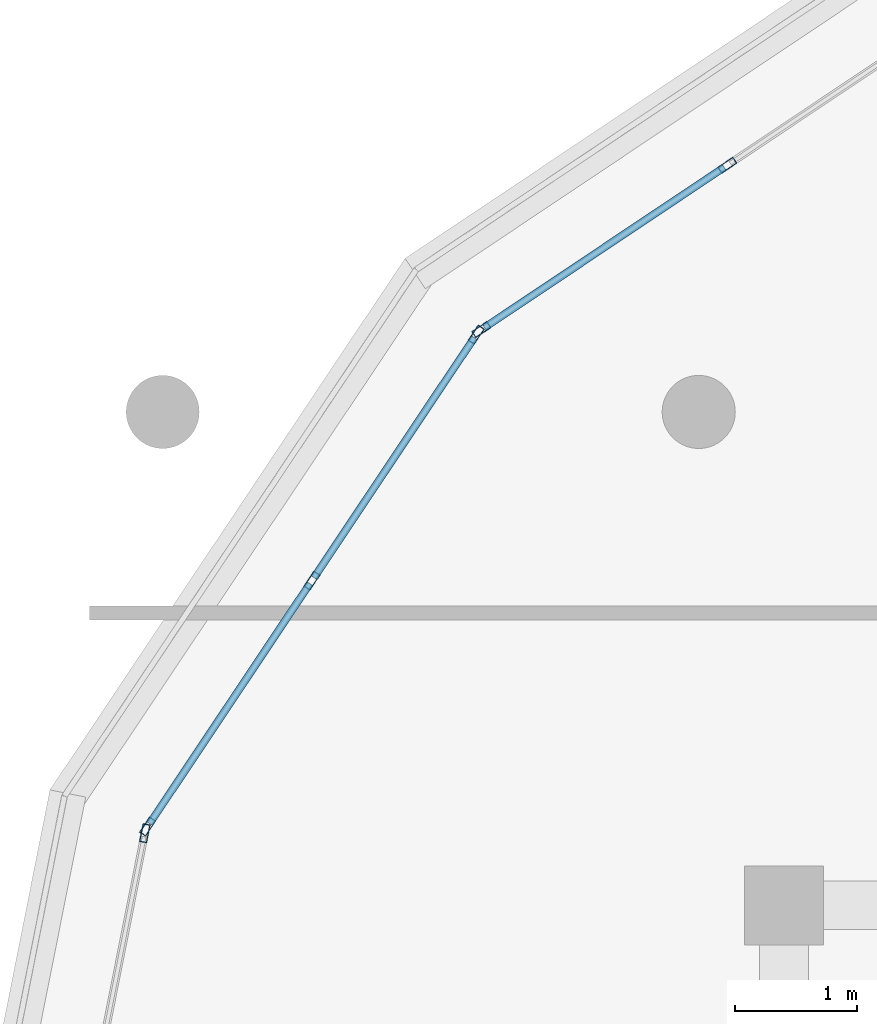
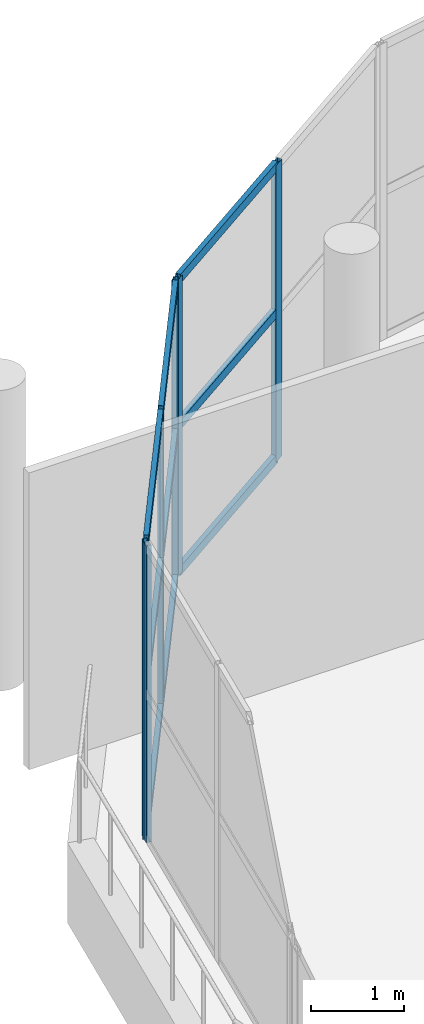
# One storey, part 8 of 57: 15 members, 3 elements without a shape of their own.
"""IFC4 building model written with IfcOpenShell, lengths in metres."""

import ifcopenshell
import ifcopenshell.guid

model = None  # the IFC model being written
_history = None  # IfcOwnerHistory: only IFC2X3 demands one
_inside = {}  # id of a spatial element -> (the spatial element, [elements in it])
_under = {}  # id of a project, library or spatial element -> (it, [spatial elements below it])
_declared = {}  # id of a project -> (the project, [libraries it declares])
_typed = {}  # id of a type object -> (the type object, [elements of that type])
_made_of = {}  # id of a material, layer set ... -> (it, [elements and type objects made of it])


def new_model(schema):
    """Start an empty IFC model of exactly this schema.

    Asked for "IFC4X3", IfcOpenShell would pick the latest addendum, in which some entities
    have other attributes; the version numbers below select the first issue.
    IFC2X3 requires an IfcOwnerHistory on every rooted entity: one is made here for all.
    """
    global model, _history
    if schema == "IFC4X3":
        model = ifcopenshell.file(schema_version=(4, 3, 0, 0))
    else:
        model = ifcopenshell.file(schema=schema)
    _inside.clear()
    _under.clear()
    _declared.clear()
    _typed.clear()
    _made_of.clear()
    _history = None
    if model.schema == "IFC2X3":
        org = make("IfcOrganization", Name="unknown")
        user = make(
            "IfcPersonAndOrganization",
            ThePerson=make("IfcPerson", FamilyName="unknown"),
            TheOrganization=org,
        )
        app = make(
            "IfcApplication",
            ApplicationDeveloper=org,
            Version="unknown",
            ApplicationFullName="unknown",
            ApplicationIdentifier="unknown",
        )
        _history = make(
            "IfcOwnerHistory",
            OwningUser=user,
            OwningApplication=app,
            ChangeAction="ADDED",
            CreationDate=0,
        )
    return model


def make(cls, **values):
    """One entity of the class cls with the attributes given. An attribute that is None is left unset."""
    return model.create_entity(
        cls, **{name: value for name, value in values.items() if value is not None}
    )


def rooted(cls, **values):
    """An entity with a GlobalId (a new one), such as an element, a storey or a relation."""
    return make(cls, GlobalId=ifcopenshell.guid.new(), OwnerHistory=_history, **values)


def si_unit(unit_type, name, prefix=None):
    """IfcSIUnit, for example si_unit("LENGTHUNIT", "METRE", prefix="MILLI")."""
    return make("IfcSIUnit", UnitType=unit_type, Prefix=prefix, Name=name)


def assignment(units):
    """IfcUnitAssignment: the units of a project."""
    return None if units is None else make("IfcUnitAssignment", Units=units)


def point(xyz):
    """IfcCartesianPoint."""
    return None if xyz is None else make("IfcCartesianPoint", Coordinates=xyz)


def direction(xyz):
    """IfcDirection."""
    return None if xyz is None else make("IfcDirection", DirectionRatios=xyz)


def frame(location, z_axis=None, x_axis=None):
    """IfcAxis2Placement3D, a coordinate frame: its origin and axes. An axis left out is left unset."""
    return make(
        "IfcAxis2Placement3D",
        Location=point(location),
        Axis=direction(z_axis),
        RefDirection=direction(x_axis),
    )


def frame_2d(location, x_axis=None):
    """IfcAxis2Placement2D, a coordinate frame in the plane: its origin and x axis."""
    return make(
        "IfcAxis2Placement2D", Location=point(location), RefDirection=direction(x_axis)
    )


def origin():
    """The frame at (0, 0, 0) with its axes left unset."""
    return frame((0.0, 0.0, 0.0))


def origin_2d():
    """The frame at (0, 0) in the plane with its x axis left unset."""
    return frame_2d((0.0, 0.0))


def place(relative_to, where):
    """IfcLocalPlacement: puts the frame where relative to a parent placement (None: the world)."""
    return make(
        "IfcLocalPlacement", PlacementRelTo=relative_to, RelativePlacement=where
    )


def context(
    kind, dimensions, precision=None, world=None, true_north=None, identifier=None
):
    """IfcGeometricRepresentationContext, for example the 3D "Model" context."""
    return make(
        "IfcGeometricRepresentationContext",
        ContextIdentifier=identifier,
        ContextType=kind,
        CoordinateSpaceDimension=dimensions,
        Precision=precision,
        WorldCoordinateSystem=world,
        TrueNorth=true_north,
    )


def subcontext(parent, identifier, kind, view, scale=None):
    """IfcGeometricRepresentationSubContext, for example "Body" below "Model"."""
    return make(
        "IfcGeometricRepresentationSubContext",
        ContextIdentifier=identifier,
        ContextType=kind,
        ParentContext=parent,
        TargetScale=scale,
        TargetView=view,
    )


def project(units=None, contexts=None):
    """IfcProject with its units and contexts."""
    return rooted(
        "IfcProject",
        Name="project",
        RepresentationContexts=contexts,
        UnitsInContext=assignment(units),
    )


def spatial(cls, under=None, at=None, **own):
    """A site, building, storey or space (cls), placed at a placement, below another one or the project."""
    s = rooted(cls, ObjectPlacement=at, **own)
    if under is not None:
        _under.setdefault(under.id(), (under, []))[1].append(s)
    return s


def profile(cls, at=None, kind="AREA", **sizes):
    """A parametric profile (cls). Its sizes go by their IFC names, for example OverallWidth=200.0."""
    return make(cls, ProfileType=kind, Position=at, **sizes)


def hollow_rectangle(**sizes):
    """IfcRectangleHollowProfileDef."""
    return profile("IfcRectangleHollowProfileDef", **sizes)


def extrude(swept, where, along, depth):
    """IfcExtrudedAreaSolid: the profile swept, set in the frame where, extruded along a direction by depth."""
    return make(
        "IfcExtrudedAreaSolid",
        SweptArea=swept,
        Position=where,
        ExtrudedDirection=direction(along),
        Depth=depth,
    )


def shape(context_of_items, identifier, shape_type, items):
    """IfcShapeRepresentation: the items that make up one representation, for example the "Body"."""
    return make(
        "IfcShapeRepresentation",
        ContextOfItems=context_of_items,
        RepresentationIdentifier=identifier,
        RepresentationType=shape_type,
        Items=items,
    )


def material(Name=None, Category=None):
    """IfcMaterial."""
    return make("IfcMaterial", Name=Name, Category=Category)


def layer(
    of_material, thickness, ventilated=None, Name=None, Category=None, Priority=None
):
    """IfcMaterialLayer: one layer of a wall or slab, of a material (None: an air gap)."""
    return make(
        "IfcMaterialLayer",
        Material=of_material,
        LayerThickness=thickness,
        IsVentilated=ventilated,
        Name=Name,
        Category=Category,
        Priority=Priority,
    )


def layer_set(layers, Name=None):
    """IfcMaterialLayerSet."""
    return make("IfcMaterialLayerSet", MaterialLayers=layers, LayerSetName=Name)


def material_profile(
    of_material, cross_section, Name=None, Category=None, Priority=None
):
    """IfcMaterialProfile: a cross section and its material."""
    return make(
        "IfcMaterialProfile",
        Name=Name,
        Material=of_material,
        Profile=cross_section,
        Priority=Priority,
        Category=Category,
    )


def profile_set(profiles, Name=None, composite=None):
    """IfcMaterialProfileSet."""
    return make(
        "IfcMaterialProfileSet",
        Name=Name,
        MaterialProfiles=profiles,
        CompositeProfile=composite,
    )


def made_of(thing, what):
    """Note that an element or type object is made of a material, layer set ...; save() writes the relation."""
    if what is not None:
        _made_of.setdefault(what.id(), (what, []))[1].append(thing)
    return thing


def type_object(cls, material=None, **own):
    """A type object (cls), such as IfcWallType, which elements share."""
    return made_of(rooted(cls, **own), material)


def element(
    cls,
    number,
    at=None,
    inside=None,
    cuts=None,
    type_object=None,
    material=None,
    context=None,
    identifier="Body",
    shape_type=None,
    held_by="IfcProductDefinitionShape",
    body=None,
    shapes=None,
    **own,
):
    """One element of the class cls, such as IfcWall. Its Tag is "e" and its number.

    at: its placement. inside: the storey or other place that contains it. cuts: it is an
    opening in that element (IfcRelVoidsElement). A single representation is given by context,
    identifier, shape_type and body (its items); several are given by shapes. held_by: the class
    of the entity that holds the representations. save() writes the other relations.
    """
    e = rooted(cls, Tag="e%d" % number, ObjectPlacement=at, **own)
    if body is not None:
        shapes = [shape(context, identifier, shape_type, body)]
    if shapes is not None:
        e.Representation = make(held_by, Representations=shapes)
    if inside is not None:
        _inside.setdefault(inside.id(), (inside, []))[1].append(e)
    if cuts is not None:
        rooted(
            "IfcRelVoidsElement", RelatingBuildingElement=cuts, RelatedOpeningElement=e
        )
    if type_object is not None:
        _typed.setdefault(type_object.id(), (type_object, []))[1].append(e)
    return made_of(e, material)


def aggregate(whole, parts):
    """IfcRelAggregates: a whole, such as a stair, and the parts it consists of."""
    return rooted("IfcRelAggregates", RelatingObject=whole, RelatedObjects=parts)


def save(model, path):
    """Write the relations noted so far, then the file.

    IfcRelAggregates (storeys below a building ...), IfcRelContainedInSpatialStructure (elements
    in a storey), IfcRelDefinesByType, IfcRelAssociatesMaterial and IfcRelDeclares: one each for
    every whole, place, type object, material and project.
    """
    for whole, parts in _under.values():
        aggregate(whole, parts)
    for where, things in _inside.values():
        rooted(
            "IfcRelContainedInSpatialStructure",
            RelatedElements=things,
            RelatingStructure=where,
        )
    for kind, things in _typed.values():
        rooted("IfcRelDefinesByType", RelatedObjects=things, RelatingType=kind)
    for what, things in _made_of.values():
        rooted("IfcRelAssociatesMaterial", RelatedObjects=things, RelatingMaterial=what)
    for by, libraries in _declared.values():
        rooted("IfcRelDeclares", RelatingContext=by, RelatedDefinitions=libraries)
    model.write(path)


model = new_model("IFC4")

# Units and contexts
model_context = context("Model", 3, precision=1e-05, world=origin(), true_north=direction((0.0, 1.0)))
body_context = subcontext(model_context, "Body", "Model", "MODEL_VIEW")
ifc_project = project(units=[si_unit("LENGTHUNIT", "METRE"), si_unit("AREAUNIT", "SQUARE_METRE"), si_unit("VOLUMEUNIT", "CUBIC_METRE"), si_unit("PLANEANGLEUNIT", "RADIAN"), si_unit("MASSUNIT", "GRAM", prefix="KILO")], contexts=[model_context])

# Site, building, storey
site_placement = place(None, origin())
site = spatial("IfcSite", under=ifc_project, at=site_placement, CompositionType="ELEMENT")
building_placement = place(site_placement, origin())
building = spatial("IfcBuilding", under=site, at=building_placement, Name="Zizhar Promenade General Hospital", CompositionType="ELEMENT")
storey_placement = place(building_placement, frame((0.0, 0.0, 22.199951171875)))
storey = spatial("IfcBuildingStorey", under=building, at=storey_placement, Name="L05", CompositionType="ELEMENT", Elevation=22.199951171875)

# Curtain wall, members
ifc_material_1 = material(Name="Anodised aluminium 6063-T6 and low-E glass", Category="aluminium")
ifc_layer = layer(ifc_material_1, 0.159912109375)
ifc_layer_set = layer_set([ifc_layer], Name="Anodised aluminium 6063-T6 and low-E glass")
curtain_wall_type = type_object("IfcCurtainWallType", Name="CW-WARD-ARC", PredefinedType="NOTDEFINED", material=ifc_layer_set)
curtain_wall_1_placement = place(storey_placement, origin())
curtain_wall_1 = element("IfcCurtainWall", 1, at=curtain_wall_1_placement, inside=storey, type_object=curtain_wall_type, Name="Ward Semicircular End Glazing L05-11", PredefinedType="NOTDEFINED")
ifc_material_2 = material(Name="Anodised aluminium 6063-T6", Category="aluminium")
ifc_material_profile_1 = material_profile(ifc_material_2, hollow_rectangle(XDim=0.06005859375, YDim=0.14990234375, WallThickness=0.00390625, at=origin_2d()))
ifc_profile_set_1 = profile_set([ifc_material_profile_1], Name="Anodised aluminium 6063-T6")
member_type_1 = type_object("IfcMemberType", Name="CWM-ALU-150x60", PredefinedType="MULLION", material=ifc_profile_set_1)
member_1_placement = place(storey_placement, frame((20.91552734375, 21.526123046875, 0.0), z_axis=(0.0, 0.0, 1.0), x_axis=(-0.555582352095, 0.831461514468, 0.0)))
member_1 = element("IfcMember", 2, at=member_1_placement, type_object=member_type_1, Name="CW-12 mullion 1", PredefinedType="MULLION", context=body_context, shape_type="SweptSolid", body=[
    extrude(hollow_rectangle(XDim=0.06005859375, YDim=0.14990234375, WallThickness=0.00390625, at=origin_2d()), origin(), (0.0, 0.0, 1.0), 3.900146484375),
])
member_2_placement = place(storey_placement, frame((22.934326171875, 22.875244140625, 0.0), z_axis=(0.0, 0.0, 1.0), x_axis=(-0.555582352095, 0.831461514468, 0.0)))
member_2 = element("IfcMember", 3, at=member_2_placement, type_object=member_type_1, Name="CW-12 mullion 2", PredefinedType="MULLION", context=body_context, shape_type="SweptSolid", body=[
    extrude(hollow_rectangle(XDim=0.06005859375, YDim=0.14990234375, WallThickness=0.00390625, at=origin_2d()), origin(), (0.0, 0.0, 1.0), 3.900146484375),
])

curtain_wall_2_placement = place(storey_placement, origin())
curtain_wall_2 = element("IfcCurtainWall", 4, at=curtain_wall_2_placement, inside=storey, type_object=curtain_wall_type, Name="Ward Semicircular End Glazing L05-12", PredefinedType="NOTDEFINED")
member_3_placement = place(storey_placement, frame((18.17578125, 17.44677734375, 0.0), z_axis=(0.0, 0.0, 1.0), x_axis=(-0.831461514468, 0.555582352095, 0.0)))
member_3 = element("IfcMember", 5, at=member_3_placement, type_object=member_type_1, Name="CW-12 mullion 1", PredefinedType="MULLION", context=body_context, shape_type="SweptSolid", body=[
    extrude(hollow_rectangle(XDim=0.06005859375, YDim=0.14990234375, WallThickness=0.00390625, at=origin_2d()), origin(), (0.0, 0.0, 1.0), 3.900146484375),
])
member_4_placement = place(storey_placement, frame((19.52490234375, 19.465576171875, 0.0), z_axis=(0.0, 0.0, 1.0), x_axis=(-0.831461514468, 0.555582352095, 0.0)))
member_4 = element("IfcMember", 6, at=member_4_placement, type_object=member_type_1, Name="CW-12 mullion 2", PredefinedType="MULLION", context=body_context, shape_type="SweptSolid", body=[
    extrude(hollow_rectangle(XDim=0.06005859375, YDim=0.14990234375, WallThickness=0.00390625, at=origin_2d()), origin(), (0.0, 0.0, 1.0), 3.900146484375),
])
member_5_placement = place(storey_placement, frame((20.873779296875, 21.484619140625, 0.0), z_axis=(0.0, 0.0, 1.0), x_axis=(-0.831461514468, 0.555582352095, 0.0)))
member_5 = element("IfcMember", 7, at=member_5_placement, type_object=member_type_1, Name="CW-12 mullion 3", PredefinedType="MULLION", context=body_context, shape_type="SweptSolid", body=[
    extrude(hollow_rectangle(XDim=0.06005859375, YDim=0.14990234375, WallThickness=0.00390625, at=origin_2d()), origin(), (0.0, 0.0, 1.0), 3.900146484375),
])

# Curtain wall, member
curtain_wall_3_placement = place(storey_placement, origin())
curtain_wall_3 = element("IfcCurtainWall", 8, at=curtain_wall_3_placement, inside=storey, type_object=curtain_wall_type, Name="Ward Semicircular End Glazing L05-13", PredefinedType="NOTDEFINED")
member_6_placement = place(storey_placement, frame((18.1533203125, 17.392333984375, 0.0), z_axis=(0.0, 0.0, 1.0), x_axis=(-0.980785889615, 0.195087259275, 0.0)))
member_6 = element("IfcMember", 9, at=member_6_placement, type_object=member_type_1, Name="CW-12 mullion 3", PredefinedType="MULLION", context=body_context, shape_type="SweptSolid", body=[
    extrude(hollow_rectangle(XDim=0.06005859375, YDim=0.14990234375, WallThickness=0.00390625, at=origin_2d()), origin(), (0.0, 0.0, 1.0), 3.900146484375),
])
aggregate(curtain_wall_3, [member_6])

# Member
ifc_material_3 = material(Name="Anodised aluminium 6063-T6", Category="aluminium")
ifc_material_profile_2 = material_profile(ifc_material_3, hollow_rectangle(XDim=0.06005859375, YDim=0.1201171875, WallThickness=0.00390625, at=origin_2d()))
ifc_profile_set_2 = profile_set([ifc_material_profile_2], Name="Anodised aluminium 6063-T6")
member_type_2 = type_object("IfcMemberType", Name="CWT-ALU-120x60", PredefinedType="USERDEFINED", material=ifc_profile_set_2)
member_7_placement = place(storey_placement, frame((20.9404296875, 21.542724609375, 0.030029296875), z_axis=(0.831415354375, 0.555651427164, 0.0), x_axis=(-0.555651427164, 0.831415354375, 0.0)))
member_7 = element("IfcMember", 10, at=member_7_placement, type_object=member_type_2, Name="CW-12 transom 1.1", ObjectType="TRANSOM", PredefinedType="USERDEFINED", context=body_context, shape_type="SweptSolid", body=[
    extrude(hollow_rectangle(XDim=0.06005859375, YDim=0.1201171875, WallThickness=0.00390625, at=origin_2d()), origin(), (0.0, 0.0, 1.0), 2.3681640625),
])

member_8_placement = place(storey_placement, frame((20.9404296875, 21.542724609375, 1.949951171875), z_axis=(0.831415354375, 0.555651427164, 0.0), x_axis=(-0.555651427164, 0.831415354375, 0.0)))
member_8 = element("IfcMember", 11, at=member_8_placement, type_object=member_type_2, Name="CW-12 transom 1.2", ObjectType="TRANSOM", PredefinedType="USERDEFINED", context=body_context, shape_type="SweptSolid", body=[
    extrude(hollow_rectangle(XDim=0.06005859375, YDim=0.1201171875, WallThickness=0.00390625, at=origin_2d()), origin(), (0.0, 0.0, 1.0), 2.3681640625),
])

member_9_placement = place(storey_placement, frame((20.9404296875, 21.542724609375, 3.8701171875), z_axis=(0.831415354375, 0.555651427164, 0.0), x_axis=(-0.555651427164, 0.831415354375, 0.0)))
member_9 = element("IfcMember", 12, at=member_9_placement, type_object=member_type_2, Name="CW-12 transom 1.3", ObjectType="TRANSOM", PredefinedType="USERDEFINED", context=body_context, shape_type="SweptSolid", body=[
    extrude(hollow_rectangle(XDim=0.06005859375, YDim=0.1201171875, WallThickness=0.00390625, at=origin_2d()), origin(), (0.0, 0.0, 1.0), 2.3681640625),
])

aggregate(curtain_wall_1, [member_1, member_2, member_7, member_8, member_9])

member_10_placement = place(storey_placement, frame((18.1923828125, 17.4716796875, 0.030029296875), z_axis=(0.555580160396, 0.831462978956, 0.0), x_axis=(-0.831462978956, 0.555580160396, 0.0)))
member_10 = element("IfcMember", 13, at=member_10_placement, type_object=member_type_2, Name="CW-12 transom 1.1", ObjectType="TRANSOM", PredefinedType="USERDEFINED", context=body_context, shape_type="SweptSolid", body=[
    extrude(hollow_rectangle(XDim=0.06005859375, YDim=0.1201171875, WallThickness=0.00390625, at=origin_2d()), origin(), (0.0, 0.0, 1.0), 2.3681640625),
])

member_11_placement = place(storey_placement, frame((18.1923828125, 17.4716796875, 1.949951171875), z_axis=(0.555580160396, 0.831462978956, 0.0), x_axis=(-0.831462978956, 0.555580160396, 0.0)))
member_11 = element("IfcMember", 14, at=member_11_placement, type_object=member_type_2, Name="CW-12 transom 1.2", ObjectType="TRANSOM", PredefinedType="USERDEFINED", context=body_context, shape_type="SweptSolid", body=[
    extrude(hollow_rectangle(XDim=0.06005859375, YDim=0.1201171875, WallThickness=0.00390625, at=origin_2d()), origin(), (0.0, 0.0, 1.0), 2.3681640625),
])

member_12_placement = place(storey_placement, frame((18.1923828125, 17.4716796875, 3.8701171875), z_axis=(0.555580160396, 0.831462978956, 0.0), x_axis=(-0.831462978956, 0.555580160396, 0.0)))
member_12 = element("IfcMember", 15, at=member_12_placement, type_object=member_type_2, Name="CW-12 transom 1.3", ObjectType="TRANSOM", PredefinedType="USERDEFINED", context=body_context, shape_type="SweptSolid", body=[
    extrude(hollow_rectangle(XDim=0.06005859375, YDim=0.1201171875, WallThickness=0.00390625, at=origin_2d()), origin(), (0.0, 0.0, 1.0), 2.3681640625),
])

member_13_placement = place(storey_placement, frame((19.54150390625, 19.490478515625, 0.030029296875), z_axis=(0.555532539312, 0.831494797197, 0.0), x_axis=(-0.831494797197, 0.555532539312, 0.0)))
member_13 = element("IfcMember", 16, at=member_13_placement, type_object=member_type_2, Name="CW-12 transom 2.1", ObjectType="TRANSOM", PredefinedType="USERDEFINED", context=body_context, shape_type="SweptSolid", body=[
    extrude(hollow_rectangle(XDim=0.06005859375, YDim=0.1201171875, WallThickness=0.00390625, at=origin_2d()), origin(), (0.0, 0.0, 1.0), 2.368408203125),
])

member_14_placement = place(storey_placement, frame((19.54150390625, 19.490478515625, 1.949951171875), z_axis=(0.555532539312, 0.831494797197, 0.0), x_axis=(-0.831494797197, 0.555532539312, 0.0)))
member_14 = element("IfcMember", 17, at=member_14_placement, type_object=member_type_2, Name="CW-12 transom 2.2", ObjectType="TRANSOM", PredefinedType="USERDEFINED", context=body_context, shape_type="SweptSolid", body=[
    extrude(hollow_rectangle(XDim=0.06005859375, YDim=0.1201171875, WallThickness=0.00390625, at=origin_2d()), origin(), (0.0, 0.0, 1.0), 2.368408203125),
])

member_15_placement = place(storey_placement, frame((19.54150390625, 19.490478515625, 3.8701171875), z_axis=(0.555532539312, 0.831494797197, 0.0), x_axis=(-0.831494797197, 0.555532539312, 0.0)))
member_15 = element("IfcMember", 18, at=member_15_placement, type_object=member_type_2, Name="CW-12 transom 2.3", ObjectType="TRANSOM", PredefinedType="USERDEFINED", context=body_context, shape_type="SweptSolid", body=[
    extrude(hollow_rectangle(XDim=0.06005859375, YDim=0.1201171875, WallThickness=0.00390625, at=origin_2d()), origin(), (0.0, 0.0, 1.0), 2.368408203125),
])

aggregate(curtain_wall_2, [member_3, member_4, member_5, member_10, member_11, member_12, member_13, member_14, member_15])

save(model, "model.ifc")
